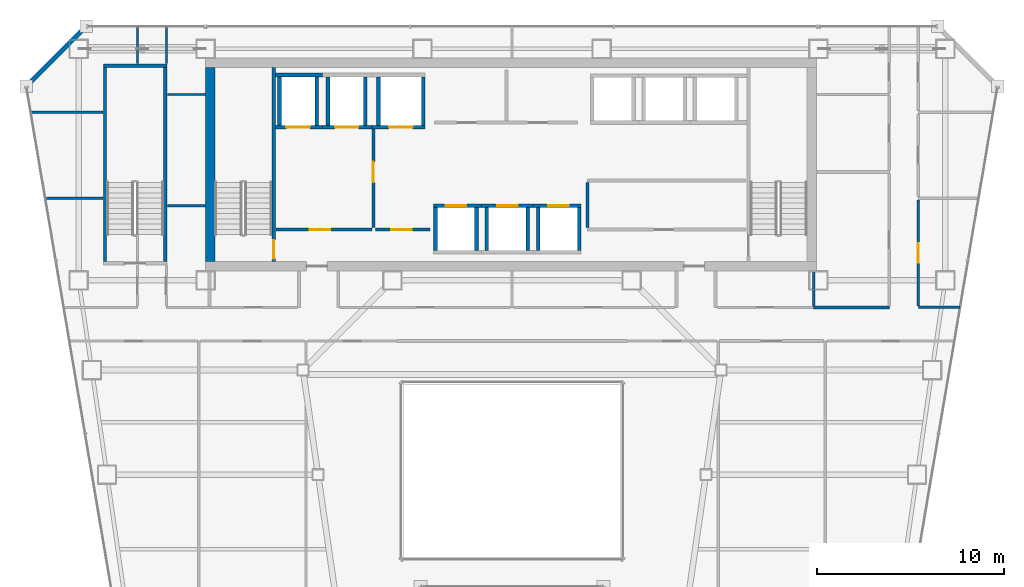
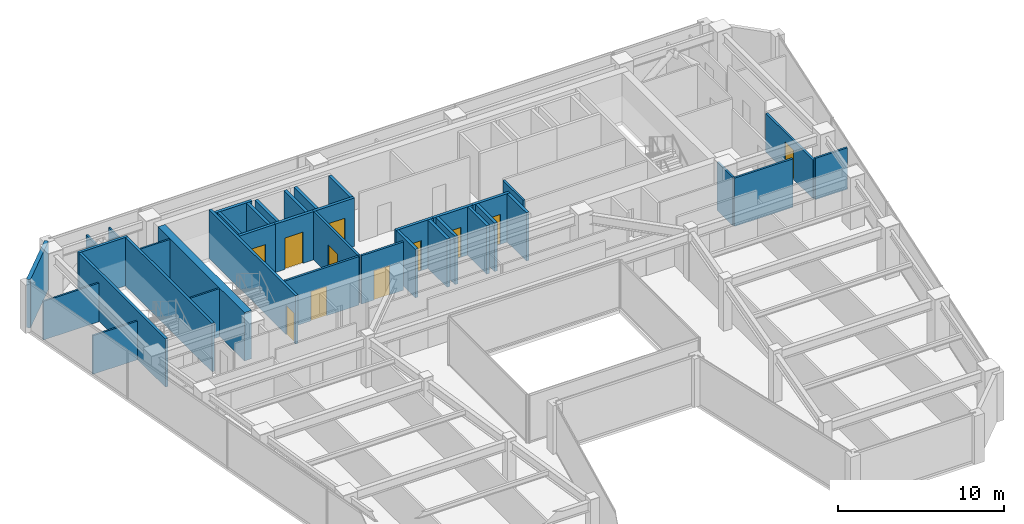
# One storey, part 30 of 35: 39 walls, 11 doors, 11 openings.
"""IFC4 building model written with IfcOpenShell, lengths in metres."""

from ifc_helpers import new_model, si_unit, direction, frame, frame_2d, origin, place, context, subcontext, project, spatial, rectangle, extrude, material, layer, layer_set, type_object, element, fill, save


model = new_model("IFC4")

# Units and contexts
model_context = context("Model", 3, precision=1e-05, world=origin(), true_north=direction((0.0, 1.0)))
body_context = subcontext(model_context, "Body", "Model", "MODEL_VIEW")
ifc_project = project(units=[si_unit("LENGTHUNIT", "METRE"), si_unit("AREAUNIT", "SQUARE_METRE"), si_unit("VOLUMEUNIT", "CUBIC_METRE"), si_unit("PLANEANGLEUNIT", "RADIAN"), si_unit("MASSUNIT", "GRAM", prefix="KILO")], contexts=[model_context])

# Site, building, storey
site_placement = place(None, origin())
site = spatial("IfcSite", under=ifc_project, at=site_placement, CompositionType="ELEMENT")
building_placement = place(site_placement, origin())
building = spatial("IfcBuilding", under=site, at=building_placement, Name="Saevonmaru Cultural Tower", CompositionType="ELEMENT")
storey_placement = place(building_placement, frame((0.0, 0.0, 179.0)))
storey = spatial("IfcBuildingStorey", under=building, at=storey_placement, Name="L40", CompositionType="ELEMENT", Elevation=179.0)

# Wall
ifc_material_1 = material(Name="Concrete C60/75", Category="concrete")
ifc_layer_1 = layer(ifc_material_1, 0.5, Name="Concrete C60/75")
ifc_layer_set_1 = layer_set([ifc_layer_1], Name="Concrete C60/75")
wall_type_1 = type_object("IfcWallType", Name="WL-CORE-500", PredefinedType="SHEAR", material=ifc_layer_set_1)
wall_1_placement = place(storey_placement, frame((13.85009765625, 43.39990234375, 0.0), z_axis=(0.0, 0.0, 1.0), x_axis=(0.0, 1.0, 0.0)))
element("IfcWall", 1, at=wall_1_placement, inside=storey, type_object=wall_type_1, Name="L40 Tower RC core shear wall W", PredefinedType="SHEAR", context=body_context, shape_type="SweptSolid", body=[
    extrude(rectangle(XDim=10.400146484375, YDim=0.5, at=frame_2d((5.2001953125, 0.0))), origin(), (0.0, 0.0, 1.0), 3.550048828125),
])

# Wall, opening, door
ifc_material_2 = material(Name="Gypsum Fireboard Partition", Category="gypsum")
ifc_layer_2 = layer(ifc_material_2, 0.14990234375, Name="Gypsum Fireboard Partition")
ifc_layer_set_2 = layer_set([ifc_layer_2], Name="Gypsum Fireboard Partition")
wall_type_2 = type_object("IfcWallType", Name="WL-CORE-PART-150", PredefinedType="PARTITIONING", material=ifc_layer_set_2)
wall_2_placement = place(storey_placement, frame((17.360107421875, 45.1201171875, 0.0), z_axis=(0.0, 0.0, 1.0), x_axis=(1.0, 0.0, 0.0)))
wall_2 = element("IfcWall", 2, at=wall_2_placement, inside=storey, type_object=wall_type_2, Name="L40 Firefighting Lift Lobby South Wall", PredefinedType="PARTITIONING", context=body_context, shape_type="SweptSolid", body=[
    extrude(rectangle(XDim=5.139892578125, YDim=0.14990234375, at=frame_2d((2.56982421875, 0.0))), origin(), (0.0, 0.0, 1.0), 3.550048828125),
])
opening_1_placement = place(wall_2_placement, frame((1.800048828125, 0.0, 0.0)))
opening_1 = element("IfcOpeningElement", 3, at=opening_1_placement, cuts=wall_2, Name="Opening FD-2", PredefinedType="OPENING", context=body_context, shape_type="SweptSolid", body=[
    extrude(rectangle(XDim=1.10009765625, YDim=2.14990234375, at=frame_2d((0.550048828125, 1.074951171875))), frame((0.0, 0.0849609375, 0.0), z_axis=(0.0, -1.0, 0.0), x_axis=(1.0, 0.0, 0.0)), (0.0, 0.0, 1.0), 0.169921875),
])
ifc_material_3 = material(Name="Satin Bronze Anodised Aluminium", Category="aluminium")
door_type_1 = type_object("IfcDoorType", Name="DR-FD60-1100", OperationType="SINGLE_SWING_LEFT", PredefinedType="DOOR", material=ifc_material_3)
door_1_placement = place(opening_1_placement, origin())
door_1 = element("IfcDoor", 4, at=door_1_placement, inside=storey, type_object=door_type_1, Name="L40 Firefighting Lift Lobby South Door", OperationType="SINGLE_SWING_LEFT", OverallHeight=2.14990234375, OverallWidth=1.10009765625, PredefinedType="DOOR", context=body_context, shape_type="SweptSolid", body=[
    extrude(rectangle(XDim=1.10009765625, YDim=2.14990234375, at=frame_2d((0.550048828125, 1.074951171875))), frame((0.0, 0.02490234375, 0.0), z_axis=(0.0, -1.0, 0.0), x_axis=(1.0, 0.0, 0.0)), (0.0, 0.0, 1.0), 0.050048828125),
])
fill(opening_1, door_1)

wall_3_placement = place(storey_placement, frame((22.580078125, 50.550048828125, 0.0), z_axis=(0.0, 0.0, 1.0), x_axis=(0.0, -1.0, 0.0)))
wall_3 = element("IfcWall", 5, at=wall_3_placement, inside=storey, type_object=wall_type_2, Name="L40 Firefighting Lift Lobby East Wall", PredefinedType="PARTITIONING", context=body_context, shape_type="SweptSolid", body=[
    extrude(rectangle(XDim=5.330078125, YDim=0.14990234375, at=frame_2d((2.6650390625, 0.0))), origin(), (0.0, 0.0, 1.0), 3.550048828125),
])
opening_2_placement = place(wall_3_placement, frame((1.800048828125, 0.0, 0.0)))
opening_2 = element("IfcOpeningElement", 6, at=opening_2_placement, cuts=wall_3, Name="Opening FD-2", PredefinedType="OPENING", context=body_context, shape_type="SweptSolid", body=[
    extrude(rectangle(XDim=1.10009765625, YDim=2.14990234375, at=frame_2d((0.550048828125, 1.074951171875))), frame((0.0, 0.0849609375, 0.0), z_axis=(0.0, -1.0, 0.0), x_axis=(1.0, 0.0, 0.0)), (0.0, 0.0, 1.0), 0.169921875),
])
door_2_placement = place(opening_2_placement, origin())
door_2 = element("IfcDoor", 7, at=door_2_placement, inside=storey, type_object=door_type_1, Name="L40 Firefighting Lift Lobby East Door", OperationType="SINGLE_SWING_LEFT", OverallHeight=2.14990234375, OverallWidth=1.10009765625, PredefinedType="DOOR", context=body_context, shape_type="SweptSolid", body=[
    extrude(rectangle(XDim=1.10009765625, YDim=2.14990234375, at=frame_2d((0.550048828125, 1.074951171875))), frame((0.0, 0.02490234375, 0.0), z_axis=(0.0, -1.0, 0.0), x_axis=(1.0, 0.0, 0.0)), (0.0, 0.0, 1.0), 0.050048828125),
])
fill(opening_2, door_2)

wall_4_placement = place(storey_placement, frame((22.679931640625, 45.1201171875, 0.0), z_axis=(0.0, 0.0, 1.0), x_axis=(1.0, 0.0, 0.0)))
wall_4 = element("IfcWall", 8, at=wall_4_placement, inside=storey, type_object=wall_type_2, Name="L40 Service Lift Vestibule Wall", PredefinedType="PARTITIONING", context=body_context, shape_type="SweptSolid", body=[
    extrude(rectangle(XDim=2.920166015625, YDim=0.14990234375, at=frame_2d((1.4599609375, 0.0))), origin(), (0.0, 0.0, 1.0), 3.550048828125),
])
opening_3_placement = place(wall_4_placement, frame((0.85009765625, 0.0, 0.0)))
opening_3 = element("IfcOpeningElement", 9, at=opening_3_placement, cuts=wall_4, Name="Opening FD-2", PredefinedType="OPENING", context=body_context, shape_type="SweptSolid", body=[
    extrude(rectangle(XDim=1.10009765625, YDim=2.14990234375, at=frame_2d((0.550048828125, 1.074951171875))), frame((0.0, 0.0849609375, 0.0), z_axis=(0.0, -1.0, 0.0), x_axis=(1.0, 0.0, 0.0)), (0.0, 0.0, 1.0), 0.169921875),
])
door_3_placement = place(opening_3_placement, origin())
door_3 = element("IfcDoor", 10, at=door_3_placement, inside=storey, type_object=door_type_1, Name="L40 Service Lift Vestibule Door", OperationType="SINGLE_SWING_LEFT", OverallHeight=2.14990234375, OverallWidth=1.10009765625, PredefinedType="DOOR", context=body_context, shape_type="SweptSolid", body=[
    extrude(rectangle(XDim=1.10009765625, YDim=2.14990234375, at=frame_2d((0.550048828125, 1.074951171875))), frame((0.0, 0.02490234375, 0.0), z_axis=(0.0, -1.0, 0.0), x_axis=(1.0, 0.0, 0.0)), (0.0, 0.0, 1.0), 0.050048828125),
])
fill(opening_3, door_3)

# Walls
wall_5_placement = place(storey_placement, frame((34.050048828125, 45.219970703125, 0.0), z_axis=(0.0, 0.0, 1.0), x_axis=(0.0, 1.0, 0.0)))
element("IfcWall", 11, at=wall_5_placement, inside=storey, type_object=wall_type_2, Name="L40 Core Service West Wall", PredefinedType="PARTITIONING", context=body_context, shape_type="SweptSolid", body=[
    extrude(rectangle(XDim=2.429931640625, YDim=0.14990234375, at=frame_2d((1.21484375, 0.0))), origin(), (0.0, 0.0, 1.0), 3.550048828125),
])
ifc_material_4 = material(Name="Granite-Clad Precast Concrete C40/50", Category="masonry")
ifc_layer_3 = layer(ifc_material_4, 0.260009765625, Name="Granite-Clad Precast Concrete C40/50")
ifc_layer_set_3 = layer_set([ifc_layer_3], Name="Granite-Clad Precast Concrete C40/50")
wall_type_3 = type_object("IfcWallType", Name="WL-EXT-SPANDREL-260", PredefinedType="STANDARD", material=ifc_layer_set_3)
wall_6_placement = place(storey_placement, frame((7.0869140625, 55.886962890625, 0.0), z_axis=(0.0, 0.0, 1.0), x_axis=(-0.707106781187, -0.707106781187, 0.0)))
element("IfcWall", 12, at=wall_6_placement, inside=storey, type_object=wall_type_3, Name="L40 Chamfer Corner Spandrel Wall E11", PredefinedType="STANDARD", context=body_context, shape_type="SweptSolid", body=[
    extrude(rectangle(XDim=4.205810546875, YDim=0.260009765625, at=frame_2d((2.10302734375, 0.0))), origin(), (0.0, 0.0, 1.0), 3.550048828125),
])

# Wall, opening, door
ifc_layer_4 = layer(ifc_material_2, 0.14990234375, Name="Gypsum Fireboard Partition")
ifc_layer_set_4 = layer_set([ifc_layer_4], Name="Gypsum Fireboard Partition")
wall_type_4 = type_object("IfcWallType", Name="WL-PART-FIRE-150", PredefinedType="PARTITIONING", material=ifc_layer_set_4)
wall_7_placement = place(storey_placement, frame((51.75, 41.03759765625, 0.0), z_axis=(0.0, 0.0, 1.0), x_axis=(0.0, 1.0, 0.0)))
wall_7 = element("IfcWall", 13, at=wall_7_placement, inside=storey, type_object=wall_type_4, Name="L40 Permanent Exhibition Gallery Corridor Wall", PredefinedType="PARTITIONING", context=body_context, shape_type="SweptSolid", body=[
    extrude(rectangle(XDim=5.6748046875, YDim=0.14990234375, at=frame_2d((2.83740234375, 0.0))), origin(), (0.0, 0.0, 1.0), 2.8349609375),
])
opening_4_placement = place(wall_7_placement, frame((2.31201171875, 0.0, 0.0)))
opening_4 = element("IfcOpeningElement", 14, at=opening_4_placement, cuts=wall_7, Name="Opening ID-1", PredefinedType="OPENING", context=body_context, shape_type="SweptSolid", body=[
    extrude(rectangle(XDim=1.050048828125, YDim=2.14990234375, at=frame_2d((0.52490234375, 1.074951171875))), frame((0.0, 0.0849609375, 0.0), z_axis=(0.0, -1.0, 0.0), x_axis=(1.0, 0.0, 0.0)), (0.0, 0.0, 1.0), 0.169921875),
])
door_type_2 = type_object("IfcDoorType", Name="DR-INT-1050", OperationType="SINGLE_SWING_LEFT", PredefinedType="DOOR", material=ifc_material_3)
door_4_placement = place(opening_4_placement, origin())
door_4 = element("IfcDoor", 15, at=door_4_placement, inside=storey, type_object=door_type_2, Name="L40 Permanent Exhibition Gallery Door", OperationType="SINGLE_SWING_LEFT", OverallHeight=2.14990234375, OverallWidth=1.050048828125, PredefinedType="DOOR", context=body_context, shape_type="SweptSolid", body=[
    extrude(rectangle(XDim=1.050048828125, YDim=2.14990234375, at=frame_2d((0.52490234375, 1.074951171875))), frame((0.0, 0.02490234375, 0.0), z_axis=(0.0, -1.0, 0.0), x_axis=(1.0, 0.0, 0.0)), (0.0, 0.0, 1.0), 0.050048828125),
])
fill(opening_4, door_4)

# Walls
ifc_layer_5 = layer(ifc_material_2, 0.1201171875, Name="Gypsum Fireboard Partition")
ifc_layer_set_5 = layer_set([ifc_layer_5], Name="Gypsum Fireboard Partition")
wall_type_5 = type_object("IfcWallType", Name="WL-PART-GYP-120", PredefinedType="PARTITIONING", material=ifc_layer_set_5)
wall_8_placement = place(storey_placement, frame((11.550048828125, 52.35009765625, 0.0), z_axis=(0.0, 0.0, 1.0), x_axis=(1.0, 0.0, 0.0)))
element("IfcWall", 16, at=wall_8_placement, inside=storey, type_object=wall_type_5, Name="L40 North-West Panorama South Wall", PredefinedType="PARTITIONING", context=body_context, shape_type="SweptSolid", body=[
    extrude(rectangle(XDim=2.030029296875, YDim=0.1201171875, at=frame_2d((1.01513671875, 0.0))), origin(), (0.0, 0.0, 1.0), 3.550048828125),
])
wall_9_placement = place(storey_placement, frame((11.5, 54.0, 0.0), z_axis=(0.0, 0.0, 1.0), x_axis=(0.0, 1.0, 0.0)))
element("IfcWall", 17, at=wall_9_placement, inside=storey, type_object=wall_type_5, Name="L40 Editorial Fellows Office Corridor Wall", PredefinedType="PARTITIONING", context=body_context, shape_type="SweptSolid", body=[
    extrude(rectangle(XDim=1.9951171875, YDim=0.1201171875, at=frame_2d((0.99755859375, 0.0))), origin(), (0.0, 0.0, 1.0), 2.93505859375),
])
wall_10_placement = place(storey_placement, frame((5.020751953125, 46.800048828125, 0.0), z_axis=(0.0, 0.0, 1.0), x_axis=(1.0, 0.0, 0.0)))
element("IfcWall", 18, at=wall_10_placement, inside=storey, type_object=wall_type_5, Name="L40 NW Studio Divider 1", PredefinedType="PARTITIONING", context=body_context, shape_type="SweptSolid", body=[
    extrude(rectangle(XDim=3.079345703125, YDim=0.1201171875, at=frame_2d((1.53955078125, 0.0))), origin(), (0.0, 0.0, 1.0), 2.8349609375),
])
wall_11_placement = place(storey_placement, frame((4.2421875, 51.39990234375, 0.0), z_axis=(0.0, 0.0, 1.0), x_axis=(1.0, 0.0, 0.0)))
element("IfcWall", 19, at=wall_11_placement, inside=storey, type_object=wall_type_5, Name="L40 NW Studio Divider 2", PredefinedType="PARTITIONING", context=body_context, shape_type="SweptSolid", body=[
    extrude(rectangle(XDim=3.85791015625, YDim=0.1201171875, at=frame_2d((1.928955078125, 0.0))), origin(), (0.0, 0.0, 1.0), 2.8349609375),
])
wall_12_placement = place(storey_placement, frame((9.949951171875, 54.0, 0.0), z_axis=(0.0, 0.0, 1.0), x_axis=(0.0, 1.0, 0.0)))
element("IfcWall", 20, at=wall_12_placement, inside=storey, type_object=wall_type_5, Name="L40 Editorial Fellows Office Corridor Wall", PredefinedType="PARTITIONING", context=body_context, shape_type="SweptSolid", body=[
    extrude(rectangle(XDim=1.9951171875, YDim=0.1201171875, at=frame_2d((0.99755859375, 0.0))), origin(), (0.0, 0.0, 1.0), 2.93505859375),
])
wall_13_placement = place(storey_placement, frame((11.550048828125, 46.39990234375, 0.0), z_axis=(0.0, 0.0, 1.0), x_axis=(1.0, 0.0, 0.0)))
element("IfcWall", 21, at=wall_13_placement, inside=storey, type_object=wall_type_5, Name="L40 NW Inner Divider", PredefinedType="PARTITIONING", context=body_context, shape_type="SweptSolid", body=[
    extrude(rectangle(XDim=2.030029296875, YDim=0.1201171875, at=frame_2d((1.01513671875, 0.0))), origin(), (0.0, 0.0, 1.0), 3.550048828125),
])
ifc_layer_6 = layer(ifc_material_2, 0.135009765625, Name="Gypsum Fireboard Partition")
ifc_layer_set_6 = layer_set([ifc_layer_6], Name="Gypsum Fireboard Partition")
wall_type_6 = type_object("IfcWallType", Name="WL-PART-GYP-135", PredefinedType="PARTITIONING", material=ifc_layer_set_6)
wall_14_placement = place(storey_placement, frame((51.75, 40.949951171875, 0.0), z_axis=(0.0, 0.0, 1.0), x_axis=(1.0, 0.0, 0.0)))
element("IfcWall", 22, at=wall_14_placement, inside=storey, type_object=wall_type_6, Name="L40 NE Wing South Wall", PredefinedType="PARTITIONING", context=body_context, shape_type="SweptSolid", body=[
    extrude(rectangle(XDim=2.23876953125, YDim=0.135009765625, at=frame_2d((1.119384765625, 0.0))), origin(), (0.0, 0.0, 1.0), 3.034912109375),
])
ifc_layer_7 = layer(ifc_material_2, 0.139892578125, Name="Gypsum Fireboard Partition")
ifc_layer_set_7 = layer_set([ifc_layer_7], Name="Gypsum Fireboard Partition")
wall_type_7 = type_object("IfcWallType", Name="WL-PART-WET-140", PredefinedType="PARTITIONING", material=ifc_layer_set_7)
wall_15_placement = place(storey_placement, frame((46.14990234375, 40.949951171875, 0.0), z_axis=(0.0, 0.0, 1.0), x_axis=(1.0, 0.0, 0.0)))
element("IfcWall", 23, at=wall_15_placement, inside=storey, type_object=wall_type_7, Name="L40 Washroom South Wall", PredefinedType="PARTITIONING", context=body_context, shape_type="SweptSolid", body=[
    extrude(rectangle(XDim=4.050048828125, YDim=0.139892578125, at=frame_2d((2.02490234375, 0.0))), origin(), (0.0, 0.0, 1.0), 3.550048828125),
])
wall_16_placement = place(storey_placement, frame((46.14990234375, 41.0400390625, 0.0), z_axis=(0.0, 0.0, 1.0), x_axis=(0.0, 1.0, 0.0)))
element("IfcWall", 24, at=wall_16_placement, inside=storey, type_object=wall_type_7, Name="L40 Washroom South-West Return", PredefinedType="PARTITIONING", context=body_context, shape_type="SweptSolid", body=[
    extrude(rectangle(XDim=1.83984375, YDim=0.139892578125, at=frame_2d((0.919921875, 0.0))), origin(), (0.0, 0.0, 1.0), 3.550048828125),
])

# Wall, opening, door
ifc_material_5 = material(Name="Concrete C40/50", Category="concrete")
ifc_layer_8 = layer(ifc_material_5, 0.199951171875, Name="Concrete C40/50")
ifc_layer_set_8 = layer_set([ifc_layer_8], Name="Concrete C40/50")
wall_type_8 = type_object("IfcWallType", Name="WL-SHAFT-200", PredefinedType="SHEAR", material=ifc_layer_set_8)
wall_17_placement = place(storey_placement, frame((17.330078125, 50.60009765625, 0.0), z_axis=(0.0, 0.0, 1.0), x_axis=(1.0, 0.0, 0.0)))
wall_17 = element("IfcWall", 25, at=wall_17_placement, inside=storey, type_object=wall_type_8, Name="L40 Lift FFL-1 Hoistway Wall S", PredefinedType="SHEAR", context=body_context, shape_type="SweptSolid", body=[
    extrude(rectangle(XDim=2.52001953125, YDim=0.199951171875, at=frame_2d((1.260009765625, 0.0))), origin(), (0.0, 0.0, 1.0), 3.550048828125),
])
opening_5_placement = place(wall_17_placement, frame((0.594970703125, 0.0, 0.0)))
opening_5 = element("IfcOpeningElement", 26, at=opening_5_placement, cuts=wall_17, Name="Opening LD-2", PredefinedType="OPENING", context=body_context, shape_type="SweptSolid", body=[
    extrude(rectangle(XDim=1.25, YDim=2.300048828125, at=frame_2d((0.625, 1.14990234375))), frame((0.0, 0.10986328125, 0.0), z_axis=(0.0, -1.0, 0.0), x_axis=(1.0, 0.0, 0.0)), (0.0, 0.0, 1.0), 0.219970703125),
])
ifc_material_6 = material(Name="Stainless Steel 316", Category="steel")
door_type_3 = type_object("IfcDoorType", Name="DR-LIFT-1250", OperationType="SLIDING_TO_LEFT", PredefinedType="DOOR", material=ifc_material_6)
door_5_placement = place(opening_5_placement, origin())
door_5 = element("IfcDoor", 27, at=door_5_placement, inside=storey, type_object=door_type_3, Name="L40 Lift FFL-1 Sliding Landing Door", OperationType="SLIDING_TO_LEFT", OverallHeight=2.300048828125, OverallWidth=1.25, PredefinedType="DOOR", context=body_context, shape_type="SweptSolid", body=[
    extrude(rectangle(XDim=1.25, YDim=2.300048828125, at=frame_2d((0.625, 1.14990234375))), frame((0.0, 0.02490234375, 0.0), z_axis=(0.0, -1.0, 0.0), x_axis=(1.0, 0.0, 0.0)), (0.0, 0.0, 1.0), 0.050048828125),
])
fill(opening_5, door_5)

# Walls
wall_18_placement = place(storey_placement, frame((17.330078125, 53.39990234375, 0.0), z_axis=(0.0, 0.0, 1.0), x_axis=(1.0, 0.0, 0.0)))
element("IfcWall", 28, at=wall_18_placement, inside=storey, type_object=wall_type_8, Name="L40 Lift FFL-1 Hoistway Wall N", PredefinedType="SHEAR", context=body_context, shape_type="SweptSolid", body=[
    extrude(rectangle(XDim=2.52001953125, YDim=0.199951171875, at=frame_2d((1.260009765625, 0.0))), origin(), (0.0, 0.0, 1.0), 3.550048828125),
])
for number, where, z_axis, x_axis, name in (
    (29, (17.550048828125, 50.699951171875, 0.0), (0.0, 0.0, 1.0), (0.0, 1.0, 0.0), "L40 Lift FFL-1 Hoistway Wall W"),
    (30, (19.550048828125, 50.699951171875, 0.0), (0.0, 0.0, 1.0), (0.0, 1.0, 0.0), "L40 Lift FFL-1 Hoistway Wall E"),
):
    element("IfcWall", number, at=place(storey_placement, frame(where, z_axis=z_axis, x_axis=x_axis)), inside=storey, type_object=wall_type_8, Name=name, PredefinedType="SHEAR", context=body_context, shape_type="SweptSolid", body=[
        extrude(rectangle(XDim=2.60009765625, YDim=0.199951171875, at=frame_2d((1.300048828125, 0.0))), origin(), (0.0, 0.0, 1.0), 3.550048828125),
    ])

# Wall, opening, door
wall_19_placement = place(storey_placement, frame((19.85009765625, 50.60009765625, 0.0), z_axis=(0.0, 0.0, 1.0), x_axis=(1.0, 0.0, 0.0)))
wall_19 = element("IfcWall", 31, at=wall_19_placement, inside=storey, type_object=wall_type_8, Name="L40 Lift FFL-2 Hoistway Wall S", PredefinedType="SHEAR", context=body_context, shape_type="SweptSolid", body=[
    extrude(rectangle(XDim=2.64990234375, YDim=0.199951171875, at=frame_2d((1.324951171875, 0.0))), origin(), (0.0, 0.0, 1.0), 3.550048828125),
])
opening_6_placement = place(wall_19_placement, frame((0.675048828125, 0.0, 0.0)))
opening_6 = element("IfcOpeningElement", 32, at=opening_6_placement, cuts=wall_19, Name="Opening LD-2", PredefinedType="OPENING", context=body_context, shape_type="SweptSolid", body=[
    extrude(rectangle(XDim=1.25, YDim=2.300048828125, at=frame_2d((0.625, 1.14990234375))), frame((0.0, 0.10986328125, 0.0), z_axis=(0.0, -1.0, 0.0), x_axis=(1.0, 0.0, 0.0)), (0.0, 0.0, 1.0), 0.219970703125),
])
door_6_placement = place(opening_6_placement, origin())
door_6 = element("IfcDoor", 33, at=door_6_placement, inside=storey, type_object=door_type_3, Name="L40 Lift FFL-2 Sliding Landing Door", OperationType="SLIDING_TO_LEFT", OverallHeight=2.300048828125, OverallWidth=1.25, PredefinedType="DOOR", context=body_context, shape_type="SweptSolid", body=[
    extrude(rectangle(XDim=1.25, YDim=2.300048828125, at=frame_2d((0.625, 1.14990234375))), frame((0.0, 0.02490234375, 0.0), z_axis=(0.0, -1.0, 0.0), x_axis=(1.0, 0.0, 0.0)), (0.0, 0.0, 1.0), 0.050048828125),
])
fill(opening_6, door_6)

# Walls
for number, where, z_axis, x_axis, name in (
    (34, (20.14990234375, 50.699951171875, 0.0), (0.0, 0.0, 1.0), (0.0, 1.0, 0.0), "L40 Lift FFL-2 Hoistway Wall W"),
    (35, (22.14990234375, 50.699951171875, 0.0), (0.0, 0.0, 1.0), (0.0, 1.0, 0.0), "L40 Lift FFL-2 Hoistway Wall E"),
):
    element("IfcWall", number, at=place(storey_placement, frame(where, z_axis=z_axis, x_axis=x_axis)), inside=storey, type_object=wall_type_8, Name=name, PredefinedType="SHEAR", context=body_context, shape_type="SweptSolid", body=[
        extrude(rectangle(XDim=2.60009765625, YDim=0.199951171875, at=frame_2d((1.300048828125, 0.0))), origin(), (0.0, 0.0, 1.0), 3.550048828125),
    ])

# Wall, opening, door
wall_20_placement = place(storey_placement, frame((22.5, 50.60009765625, 0.0), z_axis=(0.0, 0.0, 1.0), x_axis=(1.0, 0.0, 0.0)))
wall_20 = element("IfcWall", 36, at=wall_20_placement, inside=storey, type_object=wall_type_8, Name="L40 Lift GL-1 Hoistway Wall S", PredefinedType="SHEAR", context=body_context, shape_type="SweptSolid", body=[
    extrude(rectangle(XDim=2.85009765625, YDim=0.199951171875, at=frame_2d((1.425048828125, 0.0))), origin(), (0.0, 0.0, 1.0), 3.550048828125),
])
opening_7_placement = place(wall_20_placement, frame((0.925048828125, 0.0, 0.0)))
opening_7 = element("IfcOpeningElement", 37, at=opening_7_placement, cuts=wall_20, Name="Opening LD-2", PredefinedType="OPENING", context=body_context, shape_type="SweptSolid", body=[
    extrude(rectangle(XDim=1.25, YDim=2.300048828125, at=frame_2d((0.625, 1.14990234375))), frame((0.0, 0.10986328125, 0.0), z_axis=(0.0, -1.0, 0.0), x_axis=(1.0, 0.0, 0.0)), (0.0, 0.0, 1.0), 0.219970703125),
])
door_7_placement = place(opening_7_placement, origin())
door_7 = element("IfcDoor", 38, at=door_7_placement, inside=storey, type_object=door_type_3, Name="L40 Lift GL-1 Sliding Landing Door", OperationType="SLIDING_TO_LEFT", OverallHeight=2.300048828125, OverallWidth=1.25, PredefinedType="DOOR", context=body_context, shape_type="SweptSolid", body=[
    extrude(rectangle(XDim=1.25, YDim=2.300048828125, at=frame_2d((0.625, 1.14990234375))), frame((0.0, 0.02490234375, 0.0), z_axis=(0.0, -1.0, 0.0), x_axis=(1.0, 0.0, 0.0)), (0.0, 0.0, 1.0), 0.050048828125),
])
fill(opening_7, door_7)

# Walls
for number, where, z_axis, x_axis, name in (
    (39, (22.85009765625, 50.699951171875, 0.0), (0.0, 0.0, 1.0), (0.0, 1.0, 0.0), "L40 Lift GL-1 Hoistway Wall W"),
    (40, (25.25, 50.699951171875, 0.0), (0.0, 0.0, 1.0), (0.0, 1.0, 0.0), "L40 Lift GL-1 Hoistway Wall E"),
):
    element("IfcWall", number, at=place(storey_placement, frame(where, z_axis=z_axis, x_axis=x_axis)), inside=storey, type_object=wall_type_8, Name=name, PredefinedType="SHEAR", context=body_context, shape_type="SweptSolid", body=[
        extrude(rectangle(XDim=2.60009765625, YDim=0.199951171875, at=frame_2d((1.300048828125, 0.0))), origin(), (0.0, 0.0, 1.0), 3.550048828125),
    ])

# Wall, opening, door
wall_21_placement = place(storey_placement, frame((25.800048828125, 46.39990234375, 0.0), z_axis=(0.0, 0.0, 1.0), x_axis=(1.0, 0.0, 0.0)))
wall_21 = element("IfcWall", 41, at=wall_21_placement, inside=storey, type_object=wall_type_8, Name="L40 Lift PL-M1 Hoistway Wall N", PredefinedType="SHEAR", context=body_context, shape_type="SweptSolid", body=[
    extrude(rectangle(XDim=2.574951171875, YDim=0.199951171875, at=frame_2d((1.28759765625, 0.0))), origin(), (0.0, 0.0, 1.0), 3.550048828125),
])
opening_8_placement = place(wall_21_placement, frame((0.64990234375, 0.0, 0.0)))
opening_8 = element("IfcOpeningElement", 42, at=opening_8_placement, cuts=wall_21, Name="Opening LD-1", PredefinedType="OPENING", context=body_context, shape_type="SweptSolid", body=[
    extrude(rectangle(XDim=1.10009765625, YDim=2.199951171875, at=frame_2d((0.550048828125, 1.10009765625))), frame((0.0, 0.10986328125, 0.0), z_axis=(0.0, -1.0, 0.0), x_axis=(1.0, 0.0, 0.0)), (0.0, 0.0, 1.0), 0.219970703125),
])
ifc_material_7 = material(Name="Satin Bronze Stainless Steel", Category="steel")
door_type_4 = type_object("IfcDoorType", Name="DR-LIFT-1100", OperationType="SLIDING_TO_LEFT", PredefinedType="DOOR", material=ifc_material_7)
door_8_placement = place(opening_8_placement, origin())
door_8 = element("IfcDoor", 43, at=door_8_placement, inside=storey, type_object=door_type_4, Name="L40 Lift PL-M1 Sliding Landing Door", OperationType="SLIDING_TO_LEFT", OverallHeight=2.199951171875, OverallWidth=1.10009765625, PredefinedType="DOOR", context=body_context, shape_type="SweptSolid", body=[
    extrude(rectangle(XDim=1.10009765625, YDim=2.199951171875, at=frame_2d((0.550048828125, 1.10009765625))), frame((0.0, 0.02490234375, 0.0), z_axis=(0.0, -1.0, 0.0), x_axis=(1.0, 0.0, 0.0)), (0.0, 0.0, 1.0), 0.050048828125),
])
fill(opening_8, door_8)

# Walls
for number, where, z_axis, x_axis, name in (
    (44, (25.89990234375, 44.0, 0.0), (0.0, 0.0, 1.0), (0.0, 1.0, 0.0), "L40 Lift PL-M1 Hoistway Wall W"),
    (45, (28.10009765625, 44.0, 0.0), (0.0, 0.0, 1.0), (0.0, 1.0, 0.0), "L40 Lift PL-M1 Hoistway Wall E"),
):
    element("IfcWall", number, at=place(storey_placement, frame(where, z_axis=z_axis, x_axis=x_axis)), inside=storey, type_object=wall_type_8, Name=name, PredefinedType="SHEAR", context=body_context, shape_type="SweptSolid", body=[
        extrude(rectangle(XDim=2.300048828125, YDim=0.199951171875, at=frame_2d((1.14990234375, 0.0))), origin(), (0.0, 0.0, 1.0), 3.550048828125),
    ])

# Wall, opening, door
wall_22_placement = place(storey_placement, frame((28.375, 46.39990234375, 0.0), z_axis=(0.0, 0.0, 1.0), x_axis=(1.0, 0.0, 0.0)))
wall_22 = element("IfcWall", 46, at=wall_22_placement, inside=storey, type_object=wall_type_8, Name="L40 Lift PL-M2 Hoistway Wall N", PredefinedType="SHEAR", context=body_context, shape_type="SweptSolid", body=[
    extrude(rectangle(XDim=2.75, YDim=0.199951171875, at=frame_2d((1.375, 0.0))), origin(), (0.0, 0.0, 1.0), 3.550048828125),
])
opening_9_placement = place(wall_22_placement, frame((0.824951171875, 0.0, 0.0)))
opening_9 = element("IfcOpeningElement", 47, at=opening_9_placement, cuts=wall_22, Name="Opening LD-1", PredefinedType="OPENING", context=body_context, shape_type="SweptSolid", body=[
    extrude(rectangle(XDim=1.10009765625, YDim=2.199951171875, at=frame_2d((0.550048828125, 1.10009765625))), frame((0.0, 0.10986328125, 0.0), z_axis=(0.0, -1.0, 0.0), x_axis=(1.0, 0.0, 0.0)), (0.0, 0.0, 1.0), 0.219970703125),
])
door_9_placement = place(opening_9_placement, origin())
door_9 = element("IfcDoor", 48, at=door_9_placement, inside=storey, type_object=door_type_4, Name="L40 Lift PL-M2 Sliding Landing Door", OperationType="SLIDING_TO_LEFT", OverallHeight=2.199951171875, OverallWidth=1.10009765625, PredefinedType="DOOR", context=body_context, shape_type="SweptSolid", body=[
    extrude(rectangle(XDim=1.10009765625, YDim=2.199951171875, at=frame_2d((0.550048828125, 1.10009765625))), frame((0.0, 0.02490234375, 0.0), z_axis=(0.0, -1.0, 0.0), x_axis=(1.0, 0.0, 0.0)), (0.0, 0.0, 1.0), 0.050048828125),
])
fill(opening_9, door_9)

# Walls
for number, where, z_axis, x_axis, name in (
    (49, (28.64990234375, 44.0, 0.0), (0.0, 0.0, 1.0), (0.0, 1.0, 0.0), "L40 Lift PL-M2 Hoistway Wall W"),
    (50, (30.85009765625, 44.0, 0.0), (0.0, 0.0, 1.0), (0.0, 1.0, 0.0), "L40 Lift PL-M2 Hoistway Wall E"),
):
    element("IfcWall", number, at=place(storey_placement, frame(where, z_axis=z_axis, x_axis=x_axis)), inside=storey, type_object=wall_type_8, Name=name, PredefinedType="SHEAR", context=body_context, shape_type="SweptSolid", body=[
        extrude(rectangle(XDim=2.300048828125, YDim=0.199951171875, at=frame_2d((1.14990234375, 0.0))), origin(), (0.0, 0.0, 1.0), 3.550048828125),
    ])

# Wall, opening, door
wall_23_placement = place(storey_placement, frame((31.125, 46.39990234375, 0.0), z_axis=(0.0, 0.0, 1.0), x_axis=(1.0, 0.0, 0.0)))
wall_23 = element("IfcWall", 51, at=wall_23_placement, inside=storey, type_object=wall_type_8, Name="L40 Lift PL-M3 Hoistway Wall N", PredefinedType="SHEAR", context=body_context, shape_type="SweptSolid", body=[
    extrude(rectangle(XDim=2.574951171875, YDim=0.199951171875, at=frame_2d((1.28759765625, 0.0))), origin(), (0.0, 0.0, 1.0), 3.550048828125),
])
opening_10_placement = place(wall_23_placement, frame((0.824951171875, 0.0, 0.0)))
opening_10 = element("IfcOpeningElement", 52, at=opening_10_placement, cuts=wall_23, Name="Opening LD-1", PredefinedType="OPENING", context=body_context, shape_type="SweptSolid", body=[
    extrude(rectangle(XDim=1.10009765625, YDim=2.199951171875, at=frame_2d((0.550048828125, 1.10009765625))), frame((0.0, 0.10986328125, 0.0), z_axis=(0.0, -1.0, 0.0), x_axis=(1.0, 0.0, 0.0)), (0.0, 0.0, 1.0), 0.219970703125),
])
door_10_placement = place(opening_10_placement, origin())
door_10 = element("IfcDoor", 53, at=door_10_placement, inside=storey, type_object=door_type_4, Name="L40 Lift PL-M3 Sliding Landing Door", OperationType="SLIDING_TO_LEFT", OverallHeight=2.199951171875, OverallWidth=1.10009765625, PredefinedType="DOOR", context=body_context, shape_type="SweptSolid", body=[
    extrude(rectangle(XDim=1.10009765625, YDim=2.199951171875, at=frame_2d((0.550048828125, 1.10009765625))), frame((0.0, 0.02490234375, 0.0), z_axis=(0.0, -1.0, 0.0), x_axis=(1.0, 0.0, 0.0)), (0.0, 0.0, 1.0), 0.050048828125),
])
fill(opening_10, door_10)

# Walls
for number, where, z_axis, x_axis, name in (
    (54, (31.39990234375, 44.0, 0.0), (0.0, 0.0, 1.0), (0.0, 1.0, 0.0), "L40 Lift PL-M3 Hoistway Wall W"),
    (55, (33.60009765625, 44.0, 0.0), (0.0, 0.0, 1.0), (0.0, 1.0, 0.0), "L40 Lift PL-M3 Hoistway Wall E"),
):
    element("IfcWall", number, at=place(storey_placement, frame(where, z_axis=z_axis, x_axis=x_axis)), inside=storey, type_object=wall_type_8, Name=name, PredefinedType="SHEAR", context=body_context, shape_type="SweptSolid", body=[
        extrude(rectangle(XDim=2.300048828125, YDim=0.199951171875, at=frame_2d((1.14990234375, 0.0))), origin(), (0.0, 0.0, 1.0), 3.550048828125),
    ])

# Wall, opening, door
ifc_layer_9 = layer(ifc_material_5, 0.179931640625, Name="Concrete C40/50")
ifc_layer_set_9 = layer_set([ifc_layer_9], Name="Concrete C40/50")
wall_type_9 = type_object("IfcWallType", Name="WL-STSHAFT-180", PredefinedType="SHEAR", material=ifc_layer_set_9)
wall_24_placement = place(storey_placement, frame((17.239990234375, 43.39990234375, 0.0), z_axis=(0.0, 0.0, 1.0), x_axis=(0.0, 1.0, 0.0)))
wall_24 = element("IfcWall", 56, at=wall_24_placement, inside=storey, type_object=wall_type_9, Name="L40 Stair ST-1 Structural Shaft Wall 1", PredefinedType="SHEAR", context=body_context, shape_type="SweptSolid", body=[
    extrude(rectangle(XDim=10.400146484375, YDim=0.179931640625, at=frame_2d((5.2001953125, 0.0))), origin(), (0.0, 0.0, 1.0), 3.550048828125),
])
opening_11_placement = place(wall_24_placement, frame((0.159912109375, 0.0, 0.0)))
opening_11 = element("IfcOpeningElement", 57, at=opening_11_placement, cuts=wall_24, Name="Opening FD-3", PredefinedType="OPENING", context=body_context, shape_type="SweptSolid", body=[
    extrude(rectangle(XDim=1.0, YDim=2.14990234375, at=frame_2d((0.5, 1.074951171875))), frame((0.0, 0.10009765625, 0.0), z_axis=(0.0, -1.0, 0.0), x_axis=(1.0, 0.0, 0.0)), (0.0, 0.0, 1.0), 0.199951171875),
])
door_type_5 = type_object("IfcDoorType", Name="DR-FD60-1000", OperationType="SINGLE_SWING_RIGHT", PredefinedType="DOOR", material=ifc_material_3)
door_11_placement = place(opening_11_placement, origin())
door_11 = element("IfcDoor", 58, at=door_11_placement, inside=storey, type_object=door_type_5, Name="L40 Protected Stair ST-1 Fire Door", OperationType="SINGLE_SWING_RIGHT", OverallHeight=2.14990234375, OverallWidth=1.0, PredefinedType="DOOR", context=body_context, shape_type="SweptSolid", body=[
    extrude(rectangle(XDim=1.0, YDim=2.14990234375, at=frame_2d((0.5, 1.074951171875))), frame((0.0, 0.02490234375, 0.0), z_axis=(0.0, -1.0, 0.0), x_axis=(1.0, 0.0, 0.0)), (0.0, 0.0, 1.0), 0.050048828125),
])
fill(opening_11, door_11)

# Walls
wall_25_placement = place(storey_placement, frame((11.43994140625, 43.39990234375, 0.0), z_axis=(0.0, 0.0, 1.0), x_axis=(0.0, 1.0, 0.0)))
element("IfcWall", 59, at=wall_25_placement, inside=storey, type_object=wall_type_9, Name="L40 Stair ST-3 Structural Shaft Wall 2", PredefinedType="SHEAR", context=body_context, shape_type="SweptSolid", body=[
    extrude(rectangle(XDim=10.400146484375, YDim=0.179931640625, at=frame_2d((5.2001953125, 0.0))), origin(), (0.0, 0.0, 1.0), 3.550048828125),
])
wall_26_placement = place(storey_placement, frame((11.530029296875, 53.889892578125, 0.0), z_axis=(0.0, 0.0, 1.0), x_axis=(-1.0, 0.0, 0.0)))
element("IfcWall", 60, at=wall_26_placement, inside=storey, type_object=wall_type_9, Name="L40 Stair ST-3 Structural Shaft Wall 3", PredefinedType="SHEAR", context=body_context, shape_type="SweptSolid", body=[
    extrude(rectangle(XDim=3.409912109375, YDim=0.179931640625, at=frame_2d((1.705078125, 0.0))), origin(), (0.0, 0.0, 1.0), 3.550048828125),
])
wall_27_placement = place(storey_placement, frame((8.2099609375, 53.800048828125, 0.0), z_axis=(0.0, 0.0, 1.0), x_axis=(0.0, -1.0, 0.0)))
element("IfcWall", 61, at=wall_27_placement, inside=storey, type_object=wall_type_9, Name="L40 Stair ST-3 Structural Shaft Wall 4", PredefinedType="SHEAR", context=body_context, shape_type="SweptSolid", body=[
    extrude(rectangle(XDim=10.400146484375, YDim=0.179931640625, at=frame_2d((5.2001953125, 0.0))), origin(), (0.0, 0.0, 1.0), 3.550048828125),
])

save(model, "model.ifc")
